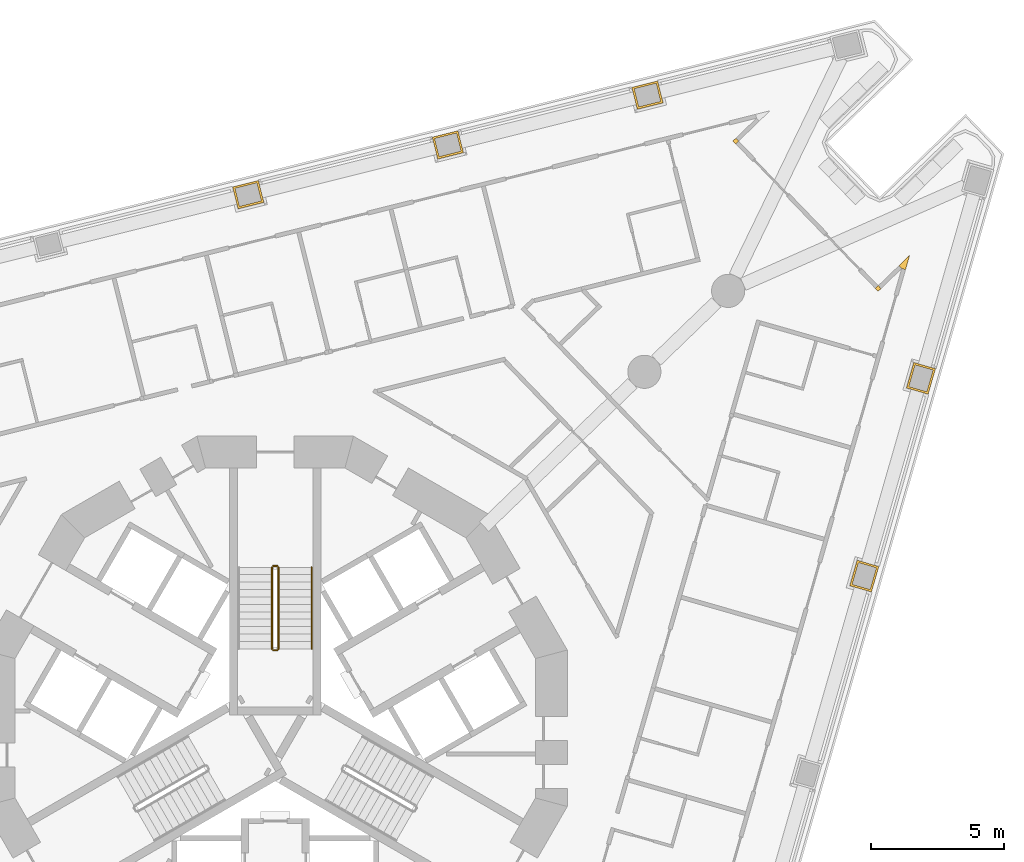
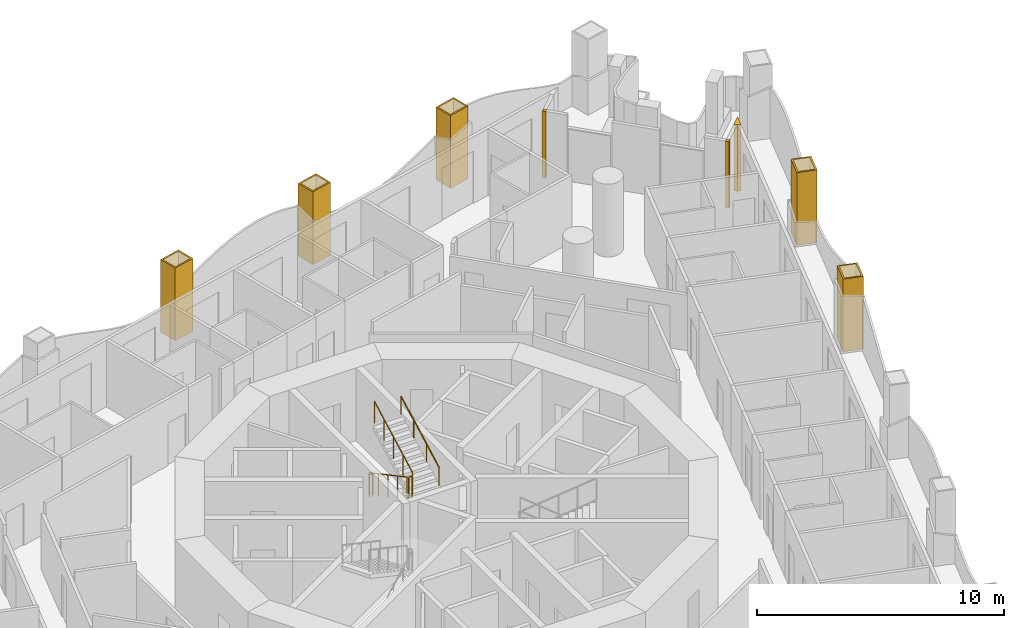
# One storey, part 17 of 19: 8 coverings, 5 railings.
"""IFC4 building model written with IfcOpenShell, lengths in metres."""

from ifc_helpers import new_model, si_unit, direction, frame, origin, origin_2d, place, context, subcontext, project, spatial, polyline, circle, outline, extrude, material, layer, layer_set, type_object, element, save


model = new_model("IFC4")

# Units and contexts
model_context = context("Model", 3, precision=1e-05, world=origin(), true_north=direction((0.0, 1.0)))
body_context = subcontext(model_context, "Body", "Model", "MODEL_VIEW")
ifc_project = project(units=[si_unit("LENGTHUNIT", "METRE"), si_unit("AREAUNIT", "SQUARE_METRE"), si_unit("VOLUMEUNIT", "CUBIC_METRE"), si_unit("PLANEANGLEUNIT", "RADIAN"), si_unit("MASSUNIT", "GRAM", prefix="KILO")], contexts=[model_context])

# Site, building, storey
site_placement = place(None, origin())
site = spatial("IfcSite", under=ifc_project, at=site_placement, CompositionType="ELEMENT")
building_placement = place(site_placement, origin())
building = spatial("IfcBuilding", under=site, at=building_placement, Name="Trine Commons Tower", CompositionType="ELEMENT")
storey_placement = place(building_placement, frame((0.0, 0.0, 98.10009765625)))
storey = spatial("IfcBuildingStorey", under=building, at=storey_placement, Name="L24", CompositionType="ELEMENT", Elevation=98.10009765625)

# Coverings
ifc_material_1 = material(Name="Aluminium-framed insulated wall panel", Category="aluminium")
ifc_layer_1 = layer(ifc_material_1, 0.14990234375)
ifc_layer_set_1 = layer_set([ifc_layer_1], Name="Aluminium-framed insulated wall panel")
covering_type_1 = type_object("IfcCoveringType", Name="Glazing corner post, aluminium", PredefinedType="CLADDING", material=ifc_layer_set_1)
covering_1_placement = place(storey_placement, origin())
element("IfcCovering", 1, at=covering_1_placement, inside=storey, type_object=covering_type_1, Name="Glazing corner post 3-06", PredefinedType="CLADDING", context=body_context, shape_type="SweptSolid", body=[
    extrude(outline(polyline([(97.36328125, 84.536376953125), (97.47119140625, 84.640380859375), (97.47119140625, 84.640380859375), (97.366943359375, 84.748291015625), (97.259033203125, 84.644287109375), (97.36328125, 84.536376953125)])), origin(), (0.0, 0.0, 1.0), 3.2998046875),
])
covering_2_placement = place(storey_placement, origin())
element("IfcCovering", 2, at=covering_2_placement, inside=storey, type_object=covering_type_1, Name="Glazing corner post 3-07", PredefinedType="CLADDING", context=body_context, shape_type="SweptSolid", body=[
    extrude(outline(polyline([(102.62890625, 79.083740234375), (102.73291015625, 78.975830078125), (102.8408203125, 79.080078125), (102.73681640625, 79.18798828125), (102.73681640625, 79.18798828125), (102.62890625, 79.083740234375)])), origin(), (0.0, 0.0, 1.0), 3.2998046875),
])
covering_3_placement = place(storey_placement, origin())
element("IfcCovering", 3, at=covering_3_placement, inside=storey, type_object=covering_type_1, Name="Glazing corner post 3-08", PredefinedType="CLADDING", context=body_context, shape_type="SweptSolid", body=[
    extrude(outline(polyline([(103.76611328125, 79.79296875), (103.92041015625, 80.3310546875), (103.517578125, 79.942138671875), (103.621826171875, 79.834228515625), (103.76611328125, 79.79296875)])), origin(), (0.0, 0.0, 1.0), 3.2998046875),
])
ifc_material_2 = material(Name="Limestone, honed", Category="masonry")
ifc_layer_2 = layer(ifc_material_2, 0.074951171875)
ifc_layer_set_2 = layer_set([ifc_layer_2], Name="Limestone, honed")
covering_type_2 = type_object("IfcCoveringType", Name="Limestone column cladding 75", PredefinedType="CLADDING", material=ifc_layer_set_2)
covering_4_placement = place(storey_placement, origin())
element("IfcCovering", 4, at=covering_4_placement, inside=storey, type_object=covering_type_2, Name="Limestone pier cladding 3-13", PredefinedType="CLADDING", context=body_context, shape_type="SweptSolid", body=[
    extrude(outline(polyline([(79.569091796875, 82.32861328125), (79.36328125, 83.1533203125), (78.39306640625, 82.91162109375), (78.598876953125, 82.0869140625), (79.569091796875, 82.32861328125)]), holes=[polyline([(79.47802734375, 82.38330078125), (79.308837890625, 83.0625), (78.484130859375, 82.85693359375), (78.6533203125, 82.177734375), (79.47802734375, 82.38330078125)])]), origin(), (0.0, 0.0, 1.0), 3.599853515625),
])
covering_5_placement = place(storey_placement, origin())
element("IfcCovering", 5, at=covering_5_placement, inside=storey, type_object=covering_type_2, Name="Limestone pier cladding 3-14", PredefinedType="CLADDING", context=body_context, shape_type="SweptSolid", body=[
    extrude(outline(polyline([(87.09619140625, 84.205322265625), (86.890625, 85.030029296875), (85.92041015625, 84.7880859375), (86.1259765625, 83.96337890625), (87.09619140625, 84.205322265625)]), holes=[polyline([(87.00537109375, 84.260009765625), (86.8359375, 84.939208984375), (86.01123046875, 84.733642578125), (86.1806640625, 84.054443359375), (87.00537109375, 84.260009765625)])]), origin(), (0.0, 0.0, 1.0), 3.599853515625),
])
covering_6_placement = place(storey_placement, origin())
element("IfcCovering", 6, at=covering_6_placement, inside=storey, type_object=covering_type_2, Name="Limestone pier cladding 3-15", PredefinedType="CLADDING", context=body_context, shape_type="SweptSolid", body=[
    extrude(outline(polyline([(94.62353515625, 86.082275390625), (94.417724609375, 86.906982421875), (93.447509765625, 86.6650390625), (93.6533203125, 85.84033203125), (94.62353515625, 86.082275390625)]), holes=[polyline([(94.532470703125, 86.13671875), (94.36328125, 86.81591796875), (93.53857421875, 86.6103515625), (93.707763671875, 85.93115234375), (94.532470703125, 86.13671875)])]), origin(), (0.0, 0.0, 1.0), 3.599853515625),
])
covering_7_placement = place(storey_placement, origin())
element("IfcCovering", 7, at=covering_7_placement, inside=storey, type_object=covering_type_2, Name="Limestone pier cladding 3-18", PredefinedType="CLADDING", context=body_context, shape_type="SweptSolid", body=[
    extrude(outline(polyline([(104.895263671875, 76.057373046875), (104.078125, 76.29150390625), (103.802490234375, 75.330322265625), (104.61962890625, 75.095947265625), (104.895263671875, 76.057373046875)]), holes=[polyline([(104.802490234375, 76.005859375), (104.129638671875, 76.19873046875), (103.895263671875, 75.381591796875), (104.568115234375, 75.188720703125), (104.802490234375, 76.005859375)])]), origin(), (0.0, 0.0, 1.0), 3.599853515625),
])
covering_8_placement = place(storey_placement, origin())
element("IfcCovering", 8, at=covering_8_placement, inside=storey, type_object=covering_type_2, Name="Limestone pier cladding 3-19", PredefinedType="CLADDING", context=body_context, shape_type="SweptSolid", body=[
    extrude(outline(polyline([(102.757080078125, 68.60009765625), (101.93994140625, 68.83447265625), (101.664306640625, 67.873291015625), (102.481201171875, 67.638916015625), (102.757080078125, 68.60009765625)]), holes=[polyline([(102.664306640625, 68.548828125), (101.9912109375, 68.74169921875), (101.757080078125, 67.924560546875), (102.429931640625, 67.731689453125), (102.664306640625, 68.548828125)])]), origin(), (0.0, 0.0, 1.0), 3.599853515625),
])

# Railings
ifc_material_3 = material(Name="Stainless steel balustrade", Category="steel")
railing_type_1 = type_object("IfcRailingType", Name="Stair guard, steel balustrade 1100", PredefinedType="GUARDRAIL", material=ifc_material_3)
railing_1_placement = place(storey_placement, frame((79.875, 68.570556640625, 0.14990234375)))
element("IfcRailing", 9, at=railing_1_placement, inside=storey, type_object=railing_type_1, Name="L24 ST1A stair guard 1", PredefinedType="GUARDRAIL", context=body_context, shape_type="SweptSolid", body=[
    extrude(circle(Radius=0.02392578125, at=origin_2d()), frame((0.0, 0.0, 1.076171875), z_axis=(0.0, -0.881496589024, 0.472190389079), x_axis=(1.0, 0.0, 0.0)), (0.0, 0.0, 1.0), 3.494140625),
    extrude(circle(Radius=0.02099609375, at=origin_2d()), origin(), (0.0, 0.0, 1.0), 1.052001953125),
    extrude(circle(Radius=0.02099609375, at=origin_2d()), frame((0.0, -0.77001953125, 0.41259765625)), (0.0, 0.0, 1.0), 1.052001953125),
    extrude(circle(Radius=0.02099609375, at=origin_2d()), frame((0.0, -1.5400390625, 0.824951171875)), (0.0, 0.0, 1.0), 1.052001953125),
    extrude(circle(Radius=0.02099609375, at=origin_2d()), frame((0.0, -2.31005859375, 1.2373046875)), (0.0, 0.0, 1.0), 1.052001953125),
    extrude(circle(Radius=0.02099609375, at=origin_2d()), frame((0.0, -3.080078125, 1.64990234375)), (0.0, 0.0, 1.0), 1.052001953125),
])
railing_2_placement = place(storey_placement, frame((79.925048828125, 65.440673828125, 1.7998046875)))
element("IfcRailing", 10, at=railing_2_placement, inside=storey, type_object=railing_type_1, Name="L24 ST1A stair guard 2", PredefinedType="GUARDRAIL", context=body_context, shape_type="SweptSolid", body=[
    extrude(circle(Radius=0.02392578125, at=origin_2d()), frame((0.0, 0.0, 1.076171875), z_axis=(1.0, 0.0, 0.0), x_axis=(0.0, 1.0, 0.0)), (0.0, 0.0, 1.0), 0.14990234375),
    extrude(circle(Radius=0.02099609375, at=origin_2d()), origin(), (0.0, 0.0, 1.0), 1.052001953125),
    extrude(circle(Radius=0.02099609375, at=origin_2d()), frame((0.14990234375, 0.0, 0.0)), (0.0, 0.0, 1.0), 1.052001953125),
])
railing_3_placement = place(storey_placement, frame((80.125, 65.490478515625, 1.949951171875)))
element("IfcRailing", 11, at=railing_3_placement, inside=storey, type_object=railing_type_1, Name="L24 ST1A stair guard 3", PredefinedType="GUARDRAIL", context=body_context, shape_type="SweptSolid", body=[
    extrude(circle(Radius=0.02392578125, at=origin_2d()), frame((0.0, 0.0, 1.076171875), z_axis=(0.0, 0.881496589024, 0.472190389079), x_axis=(-1.0, 0.0, 0.0)), (0.0, 0.0, 1.0), 3.494140625),
    extrude(circle(Radius=0.02099609375, at=origin_2d()), origin(), (0.0, 0.0, 1.0), 1.052001953125),
    extrude(circle(Radius=0.02099609375, at=origin_2d()), frame((0.0, 0.77001953125, 0.41259765625)), (0.0, 0.0, 1.0), 1.052001953125),
    extrude(circle(Radius=0.02099609375, at=origin_2d()), frame((0.0, 1.5400390625, 0.824951171875)), (0.0, 0.0, 1.0), 1.052001953125),
    extrude(circle(Radius=0.02099609375, at=origin_2d()), frame((0.0, 2.31005859375, 1.2373046875)), (0.0, 0.0, 1.0), 1.052001953125),
    extrude(circle(Radius=0.02099609375, at=origin_2d()), frame((0.0, 3.080078125, 1.64990234375)), (0.0, 0.0, 1.0), 1.052001953125),
])
railing_4_placement = place(storey_placement, frame((79.925048828125, 68.62060546875, 0.0)))
element("IfcRailing", 12, at=railing_4_placement, inside=storey, type_object=railing_type_1, Name="L24 ST1A stair guard 4", PredefinedType="GUARDRAIL", context=body_context, shape_type="SweptSolid", body=[
    extrude(circle(Radius=0.02392578125, at=origin_2d()), frame((0.0, 0.0, 1.076171875), z_axis=(1.0, 0.0, 0.0), x_axis=(0.0, 1.0, 0.0)), (0.0, 0.0, 1.0), 0.14990234375),
    extrude(circle(Radius=0.02099609375, at=origin_2d()), origin(), (0.0, 0.0, 1.0), 1.052001953125),
    extrude(circle(Radius=0.02099609375, at=origin_2d()), frame((0.14990234375, 0.0, 0.0)), (0.0, 0.0, 1.0), 1.052001953125),
])
ifc_material_4 = material(Name="Stainless steel handrail", Category="steel")
railing_type_2 = type_object("IfcRailingType", Name="Stair handrail, steel 900", PredefinedType="HANDRAIL", material=ifc_material_4)
railing_5_placement = place(storey_placement, frame((81.375, 65.490478515625, 1.949951171875)))
element("IfcRailing", 13, at=railing_5_placement, inside=storey, type_object=railing_type_2, Name="L24 ST1A stair handrail 2", PredefinedType="HANDRAIL", context=body_context, shape_type="SweptSolid", body=[
    extrude(circle(Radius=0.02099609375, at=origin_2d()), frame((0.0, 0.0, 0.87890625), z_axis=(0.0, 0.881496589024, 0.472190389079), x_axis=(-1.0, 0.0, 0.0)), (0.0, 0.0, 1.0), 3.494140625),
    extrude(circle(Radius=0.01513671875, at=origin_2d()), origin(), (0.0, 0.0, 1.0), 0.85791015625),
    extrude(circle(Radius=0.01513671875, at=origin_2d()), frame((0.0, 1.026611328125, 0.550048828125)), (0.0, 0.0, 1.0), 0.85791015625),
    extrude(circle(Radius=0.01513671875, at=origin_2d()), frame((0.0, 2.053466796875, 1.099853515625)), (0.0, 0.0, 1.0), 0.85791015625),
    extrude(circle(Radius=0.01513671875, at=origin_2d()), frame((0.0, 3.080078125, 1.64990234375)), (0.0, 0.0, 1.0), 0.85791015625),
])

save(model, "model.ifc")
